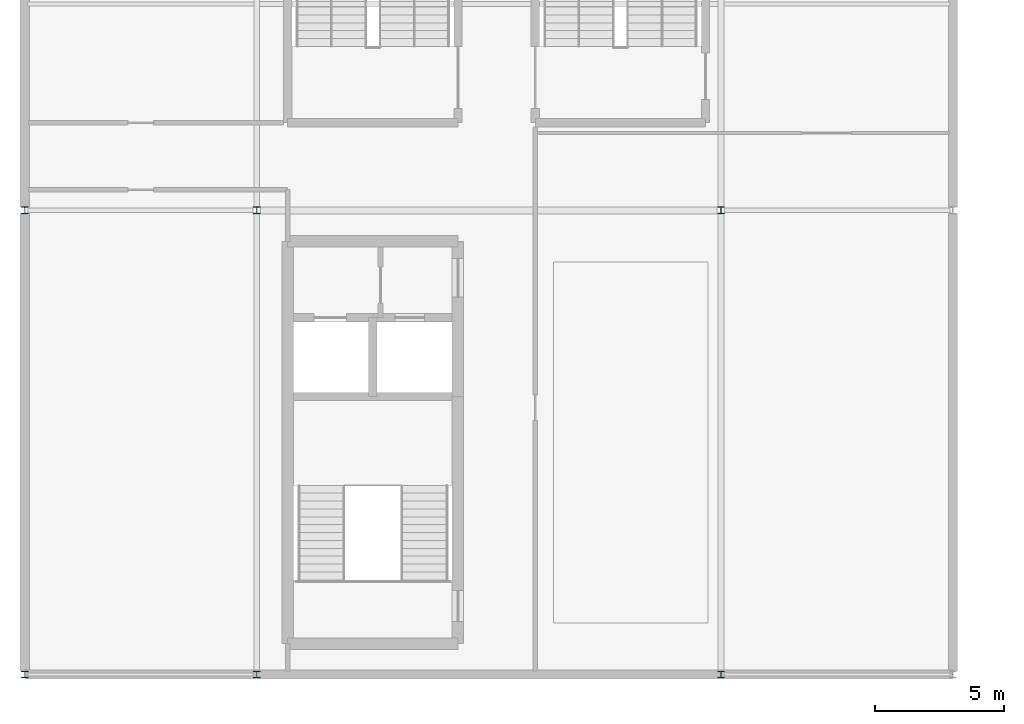
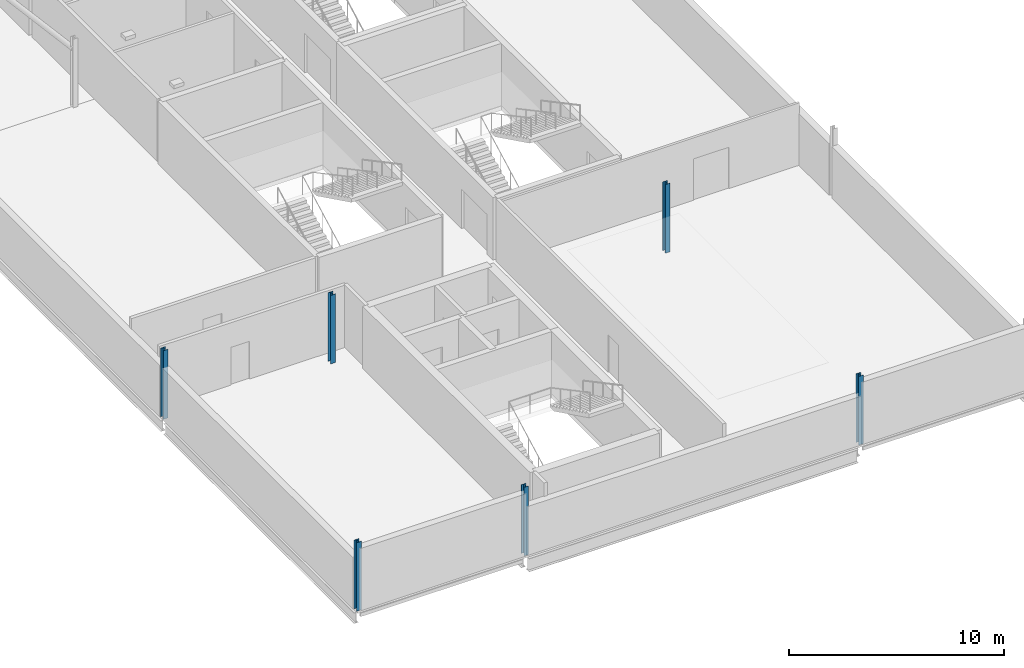
# One storey, part 1 of 30: 6 columns.
"""IFC4 building model written with IfcOpenShell, lengths in metres."""

import ifcopenshell
import ifcopenshell.guid

model = None  # the IFC model being written
_history = None  # IfcOwnerHistory: only IFC2X3 demands one
_inside = {}  # id of a spatial element -> (the spatial element, [elements in it])
_under = {}  # id of a project, library or spatial element -> (it, [spatial elements below it])
_declared = {}  # id of a project -> (the project, [libraries it declares])
_typed = {}  # id of a type object -> (the type object, [elements of that type])
_made_of = {}  # id of a material, layer set ... -> (it, [elements and type objects made of it])


def new_model(schema):
    """Start an empty IFC model of exactly this schema.

    Asked for "IFC4X3", IfcOpenShell would pick the latest addendum, in which some entities
    have other attributes; the version numbers below select the first issue.
    IFC2X3 requires an IfcOwnerHistory on every rooted entity: one is made here for all.
    """
    global model, _history
    if schema == "IFC4X3":
        model = ifcopenshell.file(schema_version=(4, 3, 0, 0))
    else:
        model = ifcopenshell.file(schema=schema)
    _inside.clear()
    _under.clear()
    _declared.clear()
    _typed.clear()
    _made_of.clear()
    _history = None
    if model.schema == "IFC2X3":
        org = make("IfcOrganization", Name="unknown")
        user = make(
            "IfcPersonAndOrganization",
            ThePerson=make("IfcPerson", FamilyName="unknown"),
            TheOrganization=org,
        )
        app = make(
            "IfcApplication",
            ApplicationDeveloper=org,
            Version="unknown",
            ApplicationFullName="unknown",
            ApplicationIdentifier="unknown",
        )
        _history = make(
            "IfcOwnerHistory",
            OwningUser=user,
            OwningApplication=app,
            ChangeAction="ADDED",
            CreationDate=0,
        )
    return model


def make(cls, **values):
    """One entity of the class cls with the attributes given. An attribute that is None is left unset."""
    return model.create_entity(
        cls, **{name: value for name, value in values.items() if value is not None}
    )


def rooted(cls, **values):
    """An entity with a GlobalId (a new one), such as an element, a storey or a relation."""
    return make(cls, GlobalId=ifcopenshell.guid.new(), OwnerHistory=_history, **values)


def si_unit(unit_type, name, prefix=None):
    """IfcSIUnit, for example si_unit("LENGTHUNIT", "METRE", prefix="MILLI")."""
    return make("IfcSIUnit", UnitType=unit_type, Prefix=prefix, Name=name)


def assignment(units):
    """IfcUnitAssignment: the units of a project."""
    return None if units is None else make("IfcUnitAssignment", Units=units)


def point(xyz):
    """IfcCartesianPoint."""
    return None if xyz is None else make("IfcCartesianPoint", Coordinates=xyz)


def direction(xyz):
    """IfcDirection."""
    return None if xyz is None else make("IfcDirection", DirectionRatios=xyz)


def frame(location, z_axis=None, x_axis=None):
    """IfcAxis2Placement3D, a coordinate frame: its origin and axes. An axis left out is left unset."""
    return make(
        "IfcAxis2Placement3D",
        Location=point(location),
        Axis=direction(z_axis),
        RefDirection=direction(x_axis),
    )


def frame_2d(location, x_axis=None):
    """IfcAxis2Placement2D, a coordinate frame in the plane: its origin and x axis."""
    return make(
        "IfcAxis2Placement2D", Location=point(location), RefDirection=direction(x_axis)
    )


def origin():
    """The frame at (0, 0, 0) with its axes left unset."""
    return frame((0.0, 0.0, 0.0))


def origin_2d():
    """The frame at (0, 0) in the plane with its x axis left unset."""
    return frame_2d((0.0, 0.0))


def place(relative_to, where):
    """IfcLocalPlacement: puts the frame where relative to a parent placement (None: the world)."""
    return make(
        "IfcLocalPlacement", PlacementRelTo=relative_to, RelativePlacement=where
    )


def context(
    kind, dimensions, precision=None, world=None, true_north=None, identifier=None
):
    """IfcGeometricRepresentationContext, for example the 3D "Model" context."""
    return make(
        "IfcGeometricRepresentationContext",
        ContextIdentifier=identifier,
        ContextType=kind,
        CoordinateSpaceDimension=dimensions,
        Precision=precision,
        WorldCoordinateSystem=world,
        TrueNorth=true_north,
    )


def subcontext(parent, identifier, kind, view, scale=None):
    """IfcGeometricRepresentationSubContext, for example "Body" below "Model"."""
    return make(
        "IfcGeometricRepresentationSubContext",
        ContextIdentifier=identifier,
        ContextType=kind,
        ParentContext=parent,
        TargetScale=scale,
        TargetView=view,
    )


def project(units=None, contexts=None):
    """IfcProject with its units and contexts."""
    return rooted(
        "IfcProject",
        Name="project",
        RepresentationContexts=contexts,
        UnitsInContext=assignment(units),
    )


def spatial(cls, under=None, at=None, **own):
    """A site, building, storey or space (cls), placed at a placement, below another one or the project."""
    s = rooted(cls, ObjectPlacement=at, **own)
    if under is not None:
        _under.setdefault(under.id(), (under, []))[1].append(s)
    return s


def profile(cls, at=None, kind="AREA", **sizes):
    """A parametric profile (cls). Its sizes go by their IFC names, for example OverallWidth=200.0."""
    return make(cls, ProfileType=kind, Position=at, **sizes)


def i_section(**sizes):
    """IfcIShapeProfileDef."""
    return profile("IfcIShapeProfileDef", **sizes)


def extrude(swept, where, along, depth):
    """IfcExtrudedAreaSolid: the profile swept, set in the frame where, extruded along a direction by depth."""
    return make(
        "IfcExtrudedAreaSolid",
        SweptArea=swept,
        Position=where,
        ExtrudedDirection=direction(along),
        Depth=depth,
    )


def shape(context_of_items, identifier, shape_type, items):
    """IfcShapeRepresentation: the items that make up one representation, for example the "Body"."""
    return make(
        "IfcShapeRepresentation",
        ContextOfItems=context_of_items,
        RepresentationIdentifier=identifier,
        RepresentationType=shape_type,
        Items=items,
    )


def material(Name=None, Category=None):
    """IfcMaterial."""
    return make("IfcMaterial", Name=Name, Category=Category)


def material_profile(
    of_material, cross_section, Name=None, Category=None, Priority=None
):
    """IfcMaterialProfile: a cross section and its material."""
    return make(
        "IfcMaterialProfile",
        Name=Name,
        Material=of_material,
        Profile=cross_section,
        Priority=Priority,
        Category=Category,
    )


def profile_set(profiles, Name=None, composite=None):
    """IfcMaterialProfileSet."""
    return make(
        "IfcMaterialProfileSet",
        Name=Name,
        MaterialProfiles=profiles,
        CompositeProfile=composite,
    )


def made_of(thing, what):
    """Note that an element or type object is made of a material, layer set ...; save() writes the relation."""
    if what is not None:
        _made_of.setdefault(what.id(), (what, []))[1].append(thing)
    return thing


def type_object(cls, material=None, **own):
    """A type object (cls), such as IfcWallType, which elements share."""
    return made_of(rooted(cls, **own), material)


def element(
    cls,
    number,
    at=None,
    inside=None,
    cuts=None,
    type_object=None,
    material=None,
    context=None,
    identifier="Body",
    shape_type=None,
    held_by="IfcProductDefinitionShape",
    body=None,
    shapes=None,
    **own,
):
    """One element of the class cls, such as IfcWall. Its Tag is "e" and its number.

    at: its placement. inside: the storey or other place that contains it. cuts: it is an
    opening in that element (IfcRelVoidsElement). A single representation is given by context,
    identifier, shape_type and body (its items); several are given by shapes. held_by: the class
    of the entity that holds the representations. save() writes the other relations.
    """
    e = rooted(cls, Tag="e%d" % number, ObjectPlacement=at, **own)
    if body is not None:
        shapes = [shape(context, identifier, shape_type, body)]
    if shapes is not None:
        e.Representation = make(held_by, Representations=shapes)
    if inside is not None:
        _inside.setdefault(inside.id(), (inside, []))[1].append(e)
    if cuts is not None:
        rooted(
            "IfcRelVoidsElement", RelatingBuildingElement=cuts, RelatedOpeningElement=e
        )
    if type_object is not None:
        _typed.setdefault(type_object.id(), (type_object, []))[1].append(e)
    return made_of(e, material)


def aggregate(whole, parts):
    """IfcRelAggregates: a whole, such as a stair, and the parts it consists of."""
    return rooted("IfcRelAggregates", RelatingObject=whole, RelatedObjects=parts)


def save(model, path):
    """Write the relations noted so far, then the file.

    IfcRelAggregates (storeys below a building ...), IfcRelContainedInSpatialStructure (elements
    in a storey), IfcRelDefinesByType, IfcRelAssociatesMaterial and IfcRelDeclares: one each for
    every whole, place, type object, material and project.
    """
    for whole, parts in _under.values():
        aggregate(whole, parts)
    for where, things in _inside.values():
        rooted(
            "IfcRelContainedInSpatialStructure",
            RelatedElements=things,
            RelatingStructure=where,
        )
    for kind, things in _typed.values():
        rooted("IfcRelDefinesByType", RelatedObjects=things, RelatingType=kind)
    for what, things in _made_of.values():
        rooted("IfcRelAssociatesMaterial", RelatedObjects=things, RelatingMaterial=what)
    for by, libraries in _declared.values():
        rooted("IfcRelDeclares", RelatingContext=by, RelatedDefinitions=libraries)
    model.write(path)


model = new_model("IFC4")

# Units and contexts
model_context = context("Model", 3, precision=1e-05, world=origin(), true_north=direction((0.0, 1.0)))
body_context = subcontext(model_context, "Body", "Model", "MODEL_VIEW")
ifc_project = project(units=[si_unit("LENGTHUNIT", "METRE"), si_unit("AREAUNIT", "SQUARE_METRE"), si_unit("VOLUMEUNIT", "CUBIC_METRE"), si_unit("PLANEANGLEUNIT", "RADIAN"), si_unit("MASSUNIT", "GRAM", prefix="KILO")], contexts=[model_context])

# Site, building, storey
site_placement = place(None, origin())
site = spatial("IfcSite", under=ifc_project, at=site_placement, CompositionType="ELEMENT")
building_placement = place(site_placement, origin())
building = spatial("IfcBuilding", under=site, at=building_placement, Name="Kisiwana Market Hall", CompositionType="ELEMENT")
storey_placement = place(building_placement, frame((0.0, 0.0, 54.0)))
storey = spatial("IfcBuildingStorey", under=building, at=storey_placement, Name="L12", CompositionType="ELEMENT", Elevation=54.0)

# Columns
ifc_material = material(Name="Steel S355", Category="steel")
ifc_material_profile = material_profile(ifc_material, i_section(OverallWidth=0.25634765625, OverallDepth=0.26025390625, WebThickness=0.01025390625, FlangeThickness=0.017333984375, FilletRadius=0.0126953125, at=origin_2d()), Name="UC 254x254x89")
ifc_profile_set = profile_set([ifc_material_profile], Name="Steel S355")
column_type = type_object("IfcColumnType", Name="COL-STL-UC089", PredefinedType="COLUMN", material=ifc_profile_set)
for number, where, z_axis, x_axis, name in (
    (1, (0.0, 18.0, 0.0), (0.0, 0.0, 1.0), (1.0, 0.0, 0.0), "Column C/1 (L12) C-1362"),
    (2, (0.0, 36.0, 0.0), (0.0, 0.0, 1.0), (1.0, 0.0, 0.0), "Column E/1 (L12) C-1363"),
    (3, (9.0, 18.0, 0.0), (0.0, 0.0, 1.0), (1.0, 0.0, 0.0), "Column C/2 (L12) C-1367"),
    (4, (9.0, 36.0, 0.0), (0.0, 0.0, 1.0), (1.0, 0.0, 0.0), "Column E/2 (L12) C-1368"),
    (5, (27.0, 18.0, 0.0), (0.0, 0.0, 1.0), (1.0, 0.0, 0.0), "Column C/4 (L12) C-1371"),
    (6, (27.0, 36.0, 0.0), (0.0, 0.0, 1.0), (1.0, 0.0, 0.0), "Column E/4 (L12) C-1372"),
):
    element("IfcColumn", number, at=place(storey_placement, frame(where, z_axis=z_axis, x_axis=x_axis)), inside=storey, type_object=column_type, Name=name, PredefinedType="COLUMN", context=body_context, shape_type="SweptSolid", body=[
        extrude(i_section(OverallWidth=0.25634765625, OverallDepth=0.26025390625, WebThickness=0.01025390625, FlangeThickness=0.017333984375, FilletRadius=0.0126953125, at=origin_2d()), origin(), (0.0, 0.0, 1.0), 3.89990234375),
    ])

save(model, "model.ifc")
